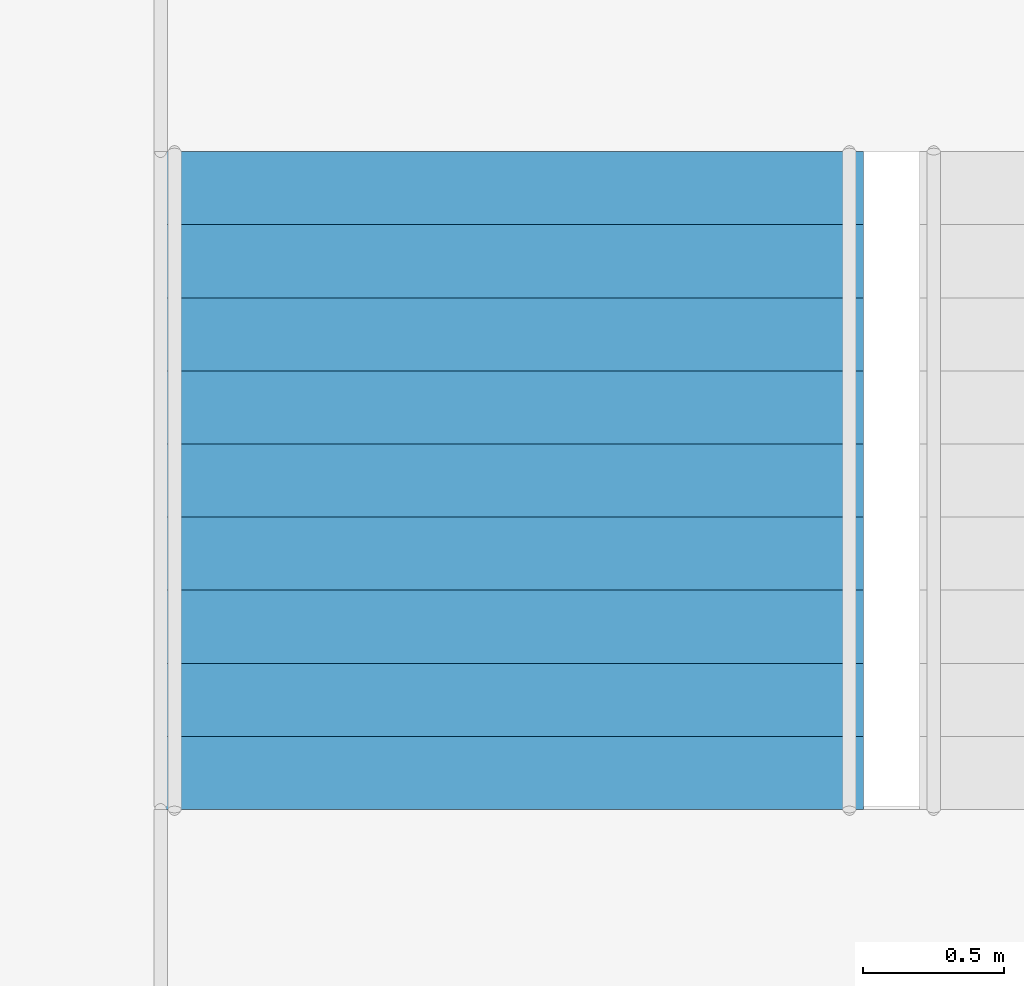
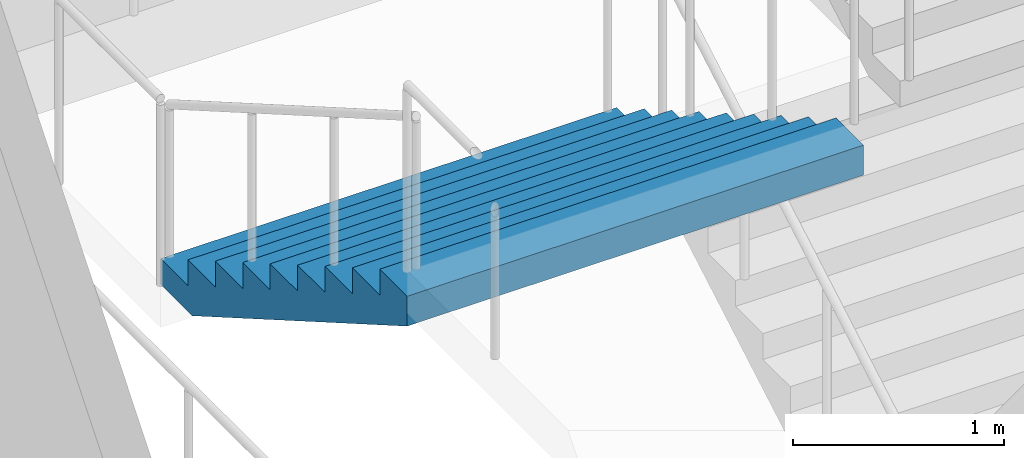
# One storey, part 46 of 100: 1 stair flight, 1 element without a shape of its own.
"""IFC4 building model written with IfcOpenShell, lengths in metres."""

import ifcopenshell
import ifcopenshell.guid

model = None  # the IFC model being written
_history = None  # IfcOwnerHistory: only IFC2X3 demands one
_inside = {}  # id of a spatial element -> (the spatial element, [elements in it])
_under = {}  # id of a project, library or spatial element -> (it, [spatial elements below it])
_declared = {}  # id of a project -> (the project, [libraries it declares])
_typed = {}  # id of a type object -> (the type object, [elements of that type])
_made_of = {}  # id of a material, layer set ... -> (it, [elements and type objects made of it])


def new_model(schema):
    """Start an empty IFC model of exactly this schema.

    Asked for "IFC4X3", IfcOpenShell would pick the latest addendum, in which some entities
    have other attributes; the version numbers below select the first issue.
    IFC2X3 requires an IfcOwnerHistory on every rooted entity: one is made here for all.
    """
    global model, _history
    if schema == "IFC4X3":
        model = ifcopenshell.file(schema_version=(4, 3, 0, 0))
    else:
        model = ifcopenshell.file(schema=schema)
    _inside.clear()
    _under.clear()
    _declared.clear()
    _typed.clear()
    _made_of.clear()
    _history = None
    if model.schema == "IFC2X3":
        org = make("IfcOrganization", Name="unknown")
        user = make(
            "IfcPersonAndOrganization",
            ThePerson=make("IfcPerson", FamilyName="unknown"),
            TheOrganization=org,
        )
        app = make(
            "IfcApplication",
            ApplicationDeveloper=org,
            Version="unknown",
            ApplicationFullName="unknown",
            ApplicationIdentifier="unknown",
        )
        _history = make(
            "IfcOwnerHistory",
            OwningUser=user,
            OwningApplication=app,
            ChangeAction="ADDED",
            CreationDate=0,
        )
    return model


def make(cls, **values):
    """One entity of the class cls with the attributes given. An attribute that is None is left unset."""
    return model.create_entity(
        cls, **{name: value for name, value in values.items() if value is not None}
    )


def rooted(cls, **values):
    """An entity with a GlobalId (a new one), such as an element, a storey or a relation."""
    return make(cls, GlobalId=ifcopenshell.guid.new(), OwnerHistory=_history, **values)


def si_unit(unit_type, name, prefix=None):
    """IfcSIUnit, for example si_unit("LENGTHUNIT", "METRE", prefix="MILLI")."""
    return make("IfcSIUnit", UnitType=unit_type, Prefix=prefix, Name=name)


def assignment(units):
    """IfcUnitAssignment: the units of a project."""
    return None if units is None else make("IfcUnitAssignment", Units=units)


def point(xyz):
    """IfcCartesianPoint."""
    return None if xyz is None else make("IfcCartesianPoint", Coordinates=xyz)


def direction(xyz):
    """IfcDirection."""
    return None if xyz is None else make("IfcDirection", DirectionRatios=xyz)


def frame(location, z_axis=None, x_axis=None):
    """IfcAxis2Placement3D, a coordinate frame: its origin and axes. An axis left out is left unset."""
    return make(
        "IfcAxis2Placement3D",
        Location=point(location),
        Axis=direction(z_axis),
        RefDirection=direction(x_axis),
    )


def origin():
    """The frame at (0, 0, 0) with its axes left unset."""
    return frame((0.0, 0.0, 0.0))


def place(relative_to, where):
    """IfcLocalPlacement: puts the frame where relative to a parent placement (None: the world)."""
    return make(
        "IfcLocalPlacement", PlacementRelTo=relative_to, RelativePlacement=where
    )


def context(
    kind, dimensions, precision=None, world=None, true_north=None, identifier=None
):
    """IfcGeometricRepresentationContext, for example the 3D "Model" context."""
    return make(
        "IfcGeometricRepresentationContext",
        ContextIdentifier=identifier,
        ContextType=kind,
        CoordinateSpaceDimension=dimensions,
        Precision=precision,
        WorldCoordinateSystem=world,
        TrueNorth=true_north,
    )


def subcontext(parent, identifier, kind, view, scale=None):
    """IfcGeometricRepresentationSubContext, for example "Body" below "Model"."""
    return make(
        "IfcGeometricRepresentationSubContext",
        ContextIdentifier=identifier,
        ContextType=kind,
        ParentContext=parent,
        TargetScale=scale,
        TargetView=view,
    )


def project(units=None, contexts=None):
    """IfcProject with its units and contexts."""
    return rooted(
        "IfcProject",
        Name="project",
        RepresentationContexts=contexts,
        UnitsInContext=assignment(units),
    )


def spatial(cls, under=None, at=None, **own):
    """A site, building, storey or space (cls), placed at a placement, below another one or the project."""
    s = rooted(cls, ObjectPlacement=at, **own)
    if under is not None:
        _under.setdefault(under.id(), (under, []))[1].append(s)
    return s


def point_list(points):
    """IfcCartesianPointList2D or 3D."""
    cls = (
        "IfcCartesianPointList2D" if len(points[0]) == 2 else "IfcCartesianPointList3D"
    )
    return make(cls, CoordList=points)


def triangles(points, corners, closed=None, point_numbers=None):
    """IfcTriangulatedFaceSet: each triangle names its three corners, points numbered from 1."""
    return make(
        "IfcTriangulatedFaceSet",
        Coordinates=point_list(points),
        Closed=closed,
        CoordIndex=corners,
        PnIndex=point_numbers,
    )


def shape(context_of_items, identifier, shape_type, items):
    """IfcShapeRepresentation: the items that make up one representation, for example the "Body"."""
    return make(
        "IfcShapeRepresentation",
        ContextOfItems=context_of_items,
        RepresentationIdentifier=identifier,
        RepresentationType=shape_type,
        Items=items,
    )


def material(Name=None, Category=None):
    """IfcMaterial."""
    return make("IfcMaterial", Name=Name, Category=Category)


def made_of(thing, what):
    """Note that an element or type object is made of a material, layer set ...; save() writes the relation."""
    if what is not None:
        _made_of.setdefault(what.id(), (what, []))[1].append(thing)
    return thing


def type_object(cls, material=None, **own):
    """A type object (cls), such as IfcWallType, which elements share."""
    return made_of(rooted(cls, **own), material)


def element(
    cls,
    number,
    at=None,
    inside=None,
    cuts=None,
    type_object=None,
    material=None,
    context=None,
    identifier="Body",
    shape_type=None,
    held_by="IfcProductDefinitionShape",
    body=None,
    shapes=None,
    **own,
):
    """One element of the class cls, such as IfcWall. Its Tag is "e" and its number.

    at: its placement. inside: the storey or other place that contains it. cuts: it is an
    opening in that element (IfcRelVoidsElement). A single representation is given by context,
    identifier, shape_type and body (its items); several are given by shapes. held_by: the class
    of the entity that holds the representations. save() writes the other relations.
    """
    e = rooted(cls, Tag="e%d" % number, ObjectPlacement=at, **own)
    if body is not None:
        shapes = [shape(context, identifier, shape_type, body)]
    if shapes is not None:
        e.Representation = make(held_by, Representations=shapes)
    if inside is not None:
        _inside.setdefault(inside.id(), (inside, []))[1].append(e)
    if cuts is not None:
        rooted(
            "IfcRelVoidsElement", RelatingBuildingElement=cuts, RelatedOpeningElement=e
        )
    if type_object is not None:
        _typed.setdefault(type_object.id(), (type_object, []))[1].append(e)
    return made_of(e, material)


def aggregate(whole, parts):
    """IfcRelAggregates: a whole, such as a stair, and the parts it consists of."""
    return rooted("IfcRelAggregates", RelatingObject=whole, RelatedObjects=parts)


def save(model, path):
    """Write the relations noted so far, then the file.

    IfcRelAggregates (storeys below a building ...), IfcRelContainedInSpatialStructure (elements
    in a storey), IfcRelDefinesByType, IfcRelAssociatesMaterial and IfcRelDeclares: one each for
    every whole, place, type object, material and project.
    """
    for whole, parts in _under.values():
        aggregate(whole, parts)
    for where, things in _inside.values():
        rooted(
            "IfcRelContainedInSpatialStructure",
            RelatedElements=things,
            RelatingStructure=where,
        )
    for kind, things in _typed.values():
        rooted("IfcRelDefinesByType", RelatedObjects=things, RelatingType=kind)
    for what, things in _made_of.values():
        rooted("IfcRelAssociatesMaterial", RelatedObjects=things, RelatingMaterial=what)
    for by, libraries in _declared.values():
        rooted("IfcRelDeclares", RelatingContext=by, RelatedDefinitions=libraries)
    model.write(path)


model = new_model("IFC4")

# Units and contexts
model_context = context("Model", 3, precision=1e-05, world=origin(), true_north=direction((0.0, 1.0)))
body_context = subcontext(model_context, "Body", "Model", "MODEL_VIEW")
ifc_project = project(units=[si_unit("LENGTHUNIT", "METRE"), si_unit("AREAUNIT", "SQUARE_METRE"), si_unit("VOLUMEUNIT", "CUBIC_METRE"), si_unit("PLANEANGLEUNIT", "RADIAN"), si_unit("MASSUNIT", "GRAM", prefix="KILO")], contexts=[model_context])

# Site, building, storey
site_placement = place(None, origin())
site = spatial("IfcSite", under=ifc_project, at=site_placement, CompositionType="ELEMENT")
building_placement = place(site_placement, origin())
building = spatial("IfcBuilding", under=site, at=building_placement, Name="Hakoniwa Tower and Hamabe Station Hall", CompositionType="ELEMENT")
storey_placement = place(building_placement, frame((0.0, 0.0, 9.0)))
storey = spatial("IfcBuildingStorey", under=building, at=storey_placement, Name="L02", CompositionType="ELEMENT", Elevation=9.0)

# Stair, stair flight
ifc_material_1 = material(Name="Concrete C40", Category="concrete")
stair_type = type_object("IfcStairType", Name="STAIR 2500 10X150", PredefinedType="HALF_TURN_STAIR", material=ifc_material_1)
stair_placement = place(storey_placement, origin())
stair = element("IfcStair", 1, at=stair_placement, inside=storey, type_object=stair_type, Name="Escape stair PS3", PredefinedType="HALF_TURN_STAIR")
ifc_material_2 = material(Name="Concrete C40", Category="concrete")
stair_flight_type = type_object("IfcStairFlightType", Name="STAIR FLIGHT 2500", PredefinedType="STRAIGHT", material=ifc_material_2)
stair_flight_placement = place(storey_placement, frame((45.10009765625, -20.010009765625, 1.5), z_axis=(0.0, 0.0, 1.0), x_axis=(0.0, -1.0, 0.0)))
stair_flight = element("IfcStairFlight", 2, at=stair_flight_placement, type_object=stair_flight_type, Name="PS3 flight 2", NumberOfRisers=10, NumberOfTreads=9, PredefinedType="STRAIGHT", RiserHeight=0.15, TreadLength=0.26, context=body_context, shape_type="Tessellation", body=[
    triangles([(0.0, 1.25, 0.0), (0.260009765625, 1.25, 0.0), (0.300048828125, 1.25, 0.0), (0.52001953125, 1.25, 0.126953125), (0.780029296875, 1.25, 0.27685546875), (1.0400390625, 1.25, 0.427001953125), (1.300048828125, 1.25, 0.576904296875), (1.56005859375, 1.25, 0.72705078125), (1.820068359375, 1.25, 0.876953125), (2.080078125, 1.25, 1.02685546875), (2.340087890625, 1.25, 1.177001953125), (2.340087890625, 1.25, 1.35009765625), (2.080078125, 1.25, 1.35009765625), (2.080078125, 1.25, 1.199951171875), (1.820068359375, 1.25, 1.199951171875), (1.820068359375, 1.25, 1.050048828125), (1.56005859375, 1.25, 1.050048828125), (1.56005859375, 1.25, 0.89990234375), (1.300048828125, 1.25, 0.89990234375), (1.300048828125, 1.25, 0.75), (1.0400390625, 1.25, 0.75), (1.0400390625, 1.25, 0.60009765625), (0.780029296875, 1.25, 0.60009765625), (0.780029296875, 1.25, 0.449951171875), (0.52001953125, 1.25, 0.449951171875), (0.52001953125, 1.25, 0.300048828125), (0.300048828125, 1.25, 0.300048828125), (0.260009765625, 1.25, 0.300048828125), (0.260009765625, 1.25, 0.14990234375), (0.0, 1.25, 0.14990234375), (0.0, 0.06005859375, 0.0), (0.260009765625, 0.06005859375, 0.0), (0.300048828125, 0.06005859375, 0.0), (0.52001953125, 0.06005859375, 0.126953125), (0.780029296875, 0.06005859375, 0.27685546875), (1.0400390625, 0.06005859375, 0.427001953125), (1.300048828125, 0.06005859375, 0.576904296875), (1.56005859375, 0.06005859375, 0.72705078125), (1.820068359375, 0.06005859375, 0.876953125), (2.080078125, 0.06005859375, 1.02685546875), (2.340087890625, 0.06005859375, 1.177001953125), (2.340087890625, 0.06005859375, 1.35009765625), (2.080078125, 0.06005859375, 1.35009765625), (2.080078125, 0.06005859375, 1.199951171875), (1.820068359375, 0.06005859375, 1.199951171875), (1.820068359375, 0.06005859375, 1.050048828125), (1.56005859375, 0.06005859375, 1.050048828125), (1.56005859375, 0.06005859375, 0.89990234375), (1.300048828125, 0.06005859375, 0.89990234375), (1.300048828125, 0.06005859375, 0.75), (1.0400390625, 0.06005859375, 0.75), (1.0400390625, 0.06005859375, 0.60009765625), (0.780029296875, 0.06005859375, 0.60009765625), (0.780029296875, 0.06005859375, 0.449951171875), (0.52001953125, 0.06005859375, 0.449951171875), (0.52001953125, 0.06005859375, 0.300048828125), (0.300048828125, 0.06005859375, 0.300048828125), (0.260009765625, 0.06005859375, 0.300048828125), (0.260009765625, 0.06005859375, 0.14990234375), (0.0, 0.06005859375, 0.14990234375), (0.0, 0.049072265625, 0.0), (0.260009765625, 0.049072265625, 0.0), (0.300048828125, 0.049072265625, 0.0), (0.52001953125, 0.049072265625, 0.126953125), (0.780029296875, 0.049072265625, 0.27685546875), (1.0400390625, 0.049072265625, 0.427001953125), (1.300048828125, 0.049072265625, 0.576904296875), (1.56005859375, 0.049072265625, 0.72705078125), (1.820068359375, 0.049072265625, 0.876953125), (2.080078125, 0.049072265625, 1.02685546875), (2.340087890625, 0.049072265625, 1.177001953125), (2.340087890625, 0.049072265625, 1.35009765625), (2.080078125, 0.049072265625, 1.35009765625), (2.080078125, 0.049072265625, 1.199951171875), (1.820068359375, 0.049072265625, 1.199951171875), (1.820068359375, 0.049072265625, 1.050048828125), (1.56005859375, 0.049072265625, 1.050048828125), (1.56005859375, 0.049072265625, 0.89990234375), (1.300048828125, 0.049072265625, 0.89990234375), (1.300048828125, 0.049072265625, 0.75), (1.0400390625, 0.049072265625, 0.75), (1.0400390625, 0.049072265625, 0.60009765625), (0.780029296875, 0.049072265625, 0.60009765625), (0.780029296875, 0.049072265625, 0.449951171875), (0.52001953125, 0.049072265625, 0.449951171875), (0.52001953125, 0.049072265625, 0.300048828125), (0.300048828125, 0.049072265625, 0.300048828125), (0.260009765625, 0.049072265625, 0.300048828125), (0.260009765625, 0.049072265625, 0.14990234375), (0.0, 0.049072265625, 0.14990234375), (0.0, 0.0380859375, 0.0), (0.260009765625, 0.0380859375, 0.0), (0.300048828125, 0.0380859375, 0.0), (0.52001953125, 0.0380859375, 0.126953125), (0.780029296875, 0.0380859375, 0.27685546875), (1.0400390625, 0.0380859375, 0.427001953125), (1.300048828125, 0.0380859375, 0.576904296875), (1.56005859375, 0.0380859375, 0.72705078125), (1.820068359375, 0.0380859375, 0.876953125), (2.080078125, 0.0380859375, 1.02685546875), (2.340087890625, 0.0380859375, 1.177001953125), (2.340087890625, 0.0380859375, 1.35009765625), (2.080078125, 0.0380859375, 1.35009765625), (2.080078125, 0.0380859375, 1.199951171875), (1.820068359375, 0.0380859375, 1.199951171875), (1.820068359375, 0.0380859375, 1.050048828125), (1.56005859375, 0.0380859375, 1.050048828125), (1.56005859375, 0.0380859375, 0.89990234375), (1.300048828125, 0.0380859375, 0.89990234375), (1.300048828125, 0.0380859375, 0.75), (1.0400390625, 0.0380859375, 0.75), (1.0400390625, 0.0380859375, 0.60009765625), (0.780029296875, 0.0380859375, 0.60009765625), (0.780029296875, 0.0380859375, 0.449951171875), (0.52001953125, 0.0380859375, 0.449951171875), (0.52001953125, 0.0380859375, 0.300048828125), (0.300048828125, 0.0380859375, 0.300048828125), (0.260009765625, 0.0380859375, 0.300048828125), (0.260009765625, 0.0380859375, 0.14990234375), (0.0, 0.0380859375, 0.14990234375), (0.0, 0.02734375, 0.0), (0.260009765625, 0.02734375, 0.0), (0.300048828125, 0.02734375, 0.0), (0.52001953125, 0.02734375, 0.126953125), (0.780029296875, 0.02734375, 0.27685546875), (1.0400390625, 0.02734375, 0.427001953125), (1.300048828125, 0.02734375, 0.576904296875), (1.56005859375, 0.02734375, 0.72705078125), (1.820068359375, 0.02734375, 0.876953125), (2.080078125, 0.02734375, 1.02685546875), (2.340087890625, 0.02734375, 1.177001953125), (2.340087890625, 0.02734375, 1.35009765625), (2.080078125, 0.02734375, 1.35009765625), (2.080078125, 0.02734375, 1.199951171875), (1.820068359375, 0.02734375, 1.199951171875), (1.820068359375, 0.02734375, 1.050048828125), (1.56005859375, 0.02734375, 1.050048828125), (1.56005859375, 0.02734375, 0.89990234375), (1.300048828125, 0.02734375, 0.89990234375), (1.300048828125, 0.02734375, 0.75), (1.0400390625, 0.02734375, 0.75), (1.0400390625, 0.02734375, 0.60009765625), (0.780029296875, 0.02734375, 0.60009765625), (0.780029296875, 0.02734375, 0.449951171875), (0.52001953125, 0.02734375, 0.449951171875), (0.52001953125, 0.02734375, 0.300048828125), (0.300048828125, 0.02734375, 0.300048828125), (0.260009765625, 0.02734375, 0.300048828125), (0.260009765625, 0.02734375, 0.14990234375), (0.0, 0.02734375, 0.14990234375), (0.0, 0.016357421875, 0.0), (0.260009765625, 0.016357421875, 0.0), (0.300048828125, 0.016357421875, 0.0), (0.52001953125, 0.016357421875, 0.126953125), (0.780029296875, 0.016357421875, 0.27685546875), (1.0400390625, 0.016357421875, 0.427001953125), (1.300048828125, 0.016357421875, 0.576904296875), (1.56005859375, 0.016357421875, 0.72705078125), (1.820068359375, 0.016357421875, 0.876953125), (2.080078125, 0.016357421875, 1.02685546875), (2.340087890625, 0.016357421875, 1.177001953125), (2.340087890625, 0.016357421875, 1.35009765625), (2.080078125, 0.016357421875, 1.35009765625), (2.080078125, 0.016357421875, 1.199951171875), (1.820068359375, 0.016357421875, 1.199951171875), (1.820068359375, 0.016357421875, 1.050048828125), (1.56005859375, 0.016357421875, 1.050048828125), (1.56005859375, 0.016357421875, 0.89990234375), (1.300048828125, 0.016357421875, 0.89990234375), (1.300048828125, 0.016357421875, 0.75), (1.0400390625, 0.016357421875, 0.75), (1.0400390625, 0.016357421875, 0.60009765625), (0.780029296875, 0.016357421875, 0.60009765625), (0.780029296875, 0.016357421875, 0.449951171875), (0.52001953125, 0.016357421875, 0.449951171875), (0.52001953125, 0.016357421875, 0.300048828125), (0.300048828125, 0.016357421875, 0.300048828125), (0.260009765625, 0.016357421875, 0.300048828125), (0.260009765625, 0.016357421875, 0.14990234375), (0.0, 0.016357421875, 0.14990234375), (0.0, 0.00537109375, 0.0), (0.260009765625, 0.00537109375, 0.0), (0.300048828125, 0.00537109375, 0.0), (0.52001953125, 0.00537109375, 0.126953125), (0.780029296875, 0.00537109375, 0.27685546875), (1.0400390625, 0.00537109375, 0.427001953125), (1.300048828125, 0.00537109375, 0.576904296875), (1.56005859375, 0.00537109375, 0.72705078125), (1.820068359375, 0.00537109375, 0.876953125), (2.080078125, 0.00537109375, 1.02685546875), (2.340087890625, 0.00537109375, 1.177001953125), (2.340087890625, 0.00537109375, 1.35009765625), (2.080078125, 0.00537109375, 1.35009765625), (2.080078125, 0.00537109375, 1.199951171875), (1.820068359375, 0.00537109375, 1.199951171875), (1.820068359375, 0.00537109375, 1.050048828125), (1.56005859375, 0.00537109375, 1.050048828125), (1.56005859375, 0.00537109375, 0.89990234375), (1.300048828125, 0.00537109375, 0.89990234375), (1.300048828125, 0.00537109375, 0.75), (1.0400390625, 0.00537109375, 0.75), (1.0400390625, 0.00537109375, 0.60009765625), (0.780029296875, 0.00537109375, 0.60009765625), (0.780029296875, 0.00537109375, 0.449951171875), (0.52001953125, 0.00537109375, 0.449951171875), (0.52001953125, 0.00537109375, 0.300048828125), (0.300048828125, 0.00537109375, 0.300048828125), (0.260009765625, 0.00537109375, 0.300048828125), (0.260009765625, 0.00537109375, 0.14990234375), (0.0, 0.00537109375, 0.14990234375), (0.0, -0.00537109375, 0.0), (0.260009765625, -0.00537109375, 0.0), (0.300048828125, -0.00537109375, 0.0), (0.52001953125, -0.00537109375, 0.126953125), (0.780029296875, -0.00537109375, 0.27685546875), (1.0400390625, -0.00537109375, 0.427001953125), (1.300048828125, -0.00537109375, 0.576904296875), (1.56005859375, -0.00537109375, 0.72705078125), (1.820068359375, -0.00537109375, 0.876953125), (2.080078125, -0.00537109375, 1.02685546875), (2.340087890625, -0.00537109375, 1.177001953125), (2.340087890625, -0.00537109375, 1.35009765625), (2.080078125, -0.00537109375, 1.35009765625), (2.080078125, -0.00537109375, 1.199951171875), (1.820068359375, -0.00537109375, 1.199951171875), (1.820068359375, -0.00537109375, 1.050048828125), (1.56005859375, -0.00537109375, 1.050048828125), (1.56005859375, -0.00537109375, 0.89990234375), (1.300048828125, -0.00537109375, 0.89990234375), (1.300048828125, -0.00537109375, 0.75), (1.0400390625, -0.00537109375, 0.75), (1.0400390625, -0.00537109375, 0.60009765625), (0.780029296875, -0.00537109375, 0.60009765625), (0.780029296875, -0.00537109375, 0.449951171875), (0.52001953125, -0.00537109375, 0.449951171875), (0.52001953125, -0.00537109375, 0.300048828125), (0.300048828125, -0.00537109375, 0.300048828125), (0.260009765625, -0.00537109375, 0.300048828125), (0.260009765625, -0.00537109375, 0.14990234375), (0.0, -0.00537109375, 0.14990234375), (0.0, -0.016357421875, 0.0), (0.260009765625, -0.016357421875, 0.0), (0.300048828125, -0.016357421875, 0.0), (0.52001953125, -0.016357421875, 0.126953125), (0.780029296875, -0.016357421875, 0.27685546875), (1.0400390625, -0.016357421875, 0.427001953125), (1.300048828125, -0.016357421875, 0.576904296875), (1.56005859375, -0.016357421875, 0.72705078125), (1.820068359375, -0.016357421875, 0.876953125), (2.080078125, -0.016357421875, 1.02685546875), (2.340087890625, -0.016357421875, 1.177001953125), (2.340087890625, -0.016357421875, 1.35009765625), (2.080078125, -0.016357421875, 1.35009765625), (2.080078125, -0.016357421875, 1.199951171875), (1.820068359375, -0.016357421875, 1.199951171875), (1.820068359375, -0.016357421875, 1.050048828125), (1.56005859375, -0.016357421875, 1.050048828125), (1.56005859375, -0.016357421875, 0.89990234375), (1.300048828125, -0.016357421875, 0.89990234375), (1.300048828125, -0.016357421875, 0.75), (1.0400390625, -0.016357421875, 0.75), (1.0400390625, -0.016357421875, 0.60009765625), (0.780029296875, -0.016357421875, 0.60009765625), (0.780029296875, -0.016357421875, 0.449951171875), (0.52001953125, -0.016357421875, 0.449951171875), (0.52001953125, -0.016357421875, 0.300048828125), (0.300048828125, -0.016357421875, 0.300048828125), (0.260009765625, -0.016357421875, 0.300048828125), (0.260009765625, -0.016357421875, 0.14990234375), (0.0, -0.016357421875, 0.14990234375), (0.0, -0.02734375, 0.0), (0.260009765625, -0.02734375, 0.0), (0.300048828125, -0.02734375, 0.0), (0.52001953125, -0.02734375, 0.126953125), (0.780029296875, -0.02734375, 0.27685546875), (1.0400390625, -0.02734375, 0.427001953125), (1.300048828125, -0.02734375, 0.576904296875), (1.56005859375, -0.02734375, 0.72705078125), (1.820068359375, -0.02734375, 0.876953125), (2.080078125, -0.02734375, 1.02685546875), (2.340087890625, -0.02734375, 1.177001953125), (2.340087890625, -0.02734375, 1.35009765625), (2.080078125, -0.02734375, 1.35009765625), (2.080078125, -0.02734375, 1.199951171875), (1.820068359375, -0.02734375, 1.199951171875), (1.820068359375, -0.02734375, 1.050048828125), (1.56005859375, -0.02734375, 1.050048828125), (1.56005859375, -0.02734375, 0.89990234375), (1.300048828125, -0.02734375, 0.89990234375), (1.300048828125, -0.02734375, 0.75), (1.0400390625, -0.02734375, 0.75), (1.0400390625, -0.02734375, 0.60009765625), (0.780029296875, -0.02734375, 0.60009765625), (0.780029296875, -0.02734375, 0.449951171875), (0.52001953125, -0.02734375, 0.449951171875), (0.52001953125, -0.02734375, 0.300048828125), (0.300048828125, -0.02734375, 0.300048828125), (0.260009765625, -0.02734375, 0.300048828125), (0.260009765625, -0.02734375, 0.14990234375), (0.0, -0.02734375, 0.14990234375), (0.0, -0.0380859375, 0.0), (0.260009765625, -0.0380859375, 0.0), (0.300048828125, -0.0380859375, 0.0), (0.52001953125, -0.0380859375, 0.126953125), (0.780029296875, -0.0380859375, 0.27685546875), (1.0400390625, -0.0380859375, 0.427001953125), (1.300048828125, -0.0380859375, 0.576904296875), (1.56005859375, -0.0380859375, 0.72705078125), (1.820068359375, -0.0380859375, 0.876953125), (2.080078125, -0.0380859375, 1.02685546875), (2.340087890625, -0.0380859375, 1.177001953125), (2.340087890625, -0.0380859375, 1.35009765625), (2.080078125, -0.0380859375, 1.35009765625), (2.080078125, -0.0380859375, 1.199951171875), (1.820068359375, -0.0380859375, 1.199951171875), (1.820068359375, -0.0380859375, 1.050048828125), (1.56005859375, -0.0380859375, 1.050048828125), (1.56005859375, -0.0380859375, 0.89990234375), (1.300048828125, -0.0380859375, 0.89990234375), (1.300048828125, -0.0380859375, 0.75), (1.0400390625, -0.0380859375, 0.75), (1.0400390625, -0.0380859375, 0.60009765625), (0.780029296875, -0.0380859375, 0.60009765625), (0.780029296875, -0.0380859375, 0.449951171875), (0.52001953125, -0.0380859375, 0.449951171875), (0.52001953125, -0.0380859375, 0.300048828125), (0.300048828125, -0.0380859375, 0.300048828125), (0.260009765625, -0.0380859375, 0.300048828125), (0.260009765625, -0.0380859375, 0.14990234375), (0.0, -0.0380859375, 0.14990234375), (0.0, -0.049072265625, 0.0), (0.260009765625, -0.049072265625, 0.0), (0.300048828125, -0.049072265625, 0.0), (0.52001953125, -0.049072265625, 0.126953125), (0.780029296875, -0.049072265625, 0.27685546875), (1.0400390625, -0.049072265625, 0.427001953125), (1.300048828125, -0.049072265625, 0.576904296875), (1.56005859375, -0.049072265625, 0.72705078125), (1.820068359375, -0.049072265625, 0.876953125), (2.080078125, -0.049072265625, 1.02685546875), (2.340087890625, -0.049072265625, 1.177001953125), (2.340087890625, -0.049072265625, 1.35009765625), (2.080078125, -0.049072265625, 1.35009765625), (2.080078125, -0.049072265625, 1.199951171875), (1.820068359375, -0.049072265625, 1.199951171875), (1.820068359375, -0.049072265625, 1.050048828125), (1.56005859375, -0.049072265625, 1.050048828125), (1.56005859375, -0.049072265625, 0.89990234375), (1.300048828125, -0.049072265625, 0.89990234375), (1.300048828125, -0.049072265625, 0.75), (1.0400390625, -0.049072265625, 0.75), (1.0400390625, -0.049072265625, 0.60009765625), (0.780029296875, -0.049072265625, 0.60009765625), (0.780029296875, -0.049072265625, 0.449951171875), (0.52001953125, -0.049072265625, 0.449951171875), (0.52001953125, -0.049072265625, 0.300048828125), (0.300048828125, -0.049072265625, 0.300048828125), (0.260009765625, -0.049072265625, 0.300048828125), (0.260009765625, -0.049072265625, 0.14990234375), (0.0, -0.049072265625, 0.14990234375), (0.0, -0.06005859375, 0.0), (0.260009765625, -0.06005859375, 0.0), (0.300048828125, -0.06005859375, 0.0), (0.52001953125, -0.06005859375, 0.126953125), (0.780029296875, -0.06005859375, 0.27685546875), (1.0400390625, -0.06005859375, 0.427001953125), (1.300048828125, -0.06005859375, 0.576904296875), (1.56005859375, -0.06005859375, 0.72705078125), (1.820068359375, -0.06005859375, 0.876953125), (2.080078125, -0.06005859375, 1.02685546875), (2.340087890625, -0.06005859375, 1.177001953125), (2.340087890625, -0.06005859375, 1.35009765625), (2.080078125, -0.06005859375, 1.35009765625), (2.080078125, -0.06005859375, 1.199951171875), (1.820068359375, -0.06005859375, 1.199951171875), (1.820068359375, -0.06005859375, 1.050048828125), (1.56005859375, -0.06005859375, 1.050048828125), (1.56005859375, -0.06005859375, 0.89990234375), (1.300048828125, -0.06005859375, 0.89990234375), (1.300048828125, -0.06005859375, 0.75), (1.0400390625, -0.06005859375, 0.75), (1.0400390625, -0.06005859375, 0.60009765625), (0.780029296875, -0.06005859375, 0.60009765625), (0.780029296875, -0.06005859375, 0.449951171875), (0.52001953125, -0.06005859375, 0.449951171875), (0.52001953125, -0.06005859375, 0.300048828125), (0.300048828125, -0.06005859375, 0.300048828125), (0.260009765625, -0.06005859375, 0.300048828125), (0.260009765625, -0.06005859375, 0.14990234375), (0.0, -0.06005859375, 0.14990234375), (0.0, -1.25, 0.0), (0.260009765625, -1.25, 0.0), (0.300048828125, -1.25, 0.0), (0.52001953125, -1.25, 0.126953125), (0.780029296875, -1.25, 0.27685546875), (1.0400390625, -1.25, 0.427001953125), (1.300048828125, -1.25, 0.576904296875), (1.56005859375, -1.25, 0.72705078125), (1.820068359375, -1.25, 0.876953125), (2.080078125, -1.25, 1.02685546875), (2.340087890625, -1.25, 1.177001953125), (2.340087890625, -1.25, 1.35009765625), (2.080078125, -1.25, 1.35009765625), (2.080078125, -1.25, 1.199951171875), (1.820068359375, -1.25, 1.199951171875), (1.820068359375, -1.25, 1.050048828125), (1.56005859375, -1.25, 1.050048828125), (1.56005859375, -1.25, 0.89990234375), (1.300048828125, -1.25, 0.89990234375), (1.300048828125, -1.25, 0.75), (1.0400390625, -1.25, 0.75), (1.0400390625, -1.25, 0.60009765625), (0.780029296875, -1.25, 0.60009765625), (0.780029296875, -1.25, 0.449951171875), (0.52001953125, -1.25, 0.449951171875), (0.52001953125, -1.25, 0.300048828125), (0.300048828125, -1.25, 0.300048828125), (0.260009765625, -1.25, 0.300048828125), (0.260009765625, -1.25, 0.14990234375), (0.0, -1.25, 0.14990234375)], [[2, 30, 29], [392, 419, 420], [2, 1, 30], [392, 420, 391], [3, 28, 27], [393, 417, 418], [3, 29, 28], [393, 418, 419], [3, 2, 29], [393, 419, 392], [4, 27, 26], [394, 416, 417], [4, 3, 27], [394, 417, 393], [5, 25, 24], [395, 414, 415], [5, 26, 25], [395, 415, 416], [5, 4, 26], [395, 416, 394], [6, 23, 22], [396, 412, 413], [6, 24, 23], [396, 413, 414], [6, 5, 24], [396, 414, 395], [7, 21, 20], [397, 410, 411], [7, 22, 21], [397, 411, 412], [7, 6, 22], [397, 412, 396], [8, 19, 18], [398, 408, 409], [8, 20, 19], [398, 409, 410], [8, 7, 20], [398, 410, 397], [9, 17, 16], [399, 406, 407], [9, 18, 17], [399, 407, 408], [9, 8, 18], [399, 408, 398], [10, 15, 14], [400, 404, 405], [10, 16, 15], [400, 405, 406], [10, 9, 16], [400, 406, 399], [11, 13, 12], [401, 402, 403], [11, 14, 13], [401, 403, 404], [11, 10, 14], [401, 404, 400], [1, 2, 32], [1, 32, 31], [31, 32, 62], [31, 62, 61], [61, 62, 92], [61, 92, 91], [91, 92, 122], [91, 122, 121], [121, 122, 152], [121, 152, 151], [151, 152, 182], [151, 182, 181], [181, 182, 212], [181, 212, 211], [211, 212, 242], [211, 242, 241], [241, 242, 272], [241, 272, 271], [271, 272, 302], [271, 302, 301], [301, 302, 332], [301, 332, 331], [331, 332, 362], [331, 362, 361], [361, 362, 392], [361, 392, 391], [2, 3, 33], [2, 33, 32], [32, 33, 63], [32, 63, 62], [62, 63, 93], [62, 93, 92], [92, 93, 123], [92, 123, 122], [122, 123, 153], [122, 153, 152], [152, 153, 183], [152, 183, 182], [182, 183, 213], [182, 213, 212], [212, 213, 243], [212, 243, 242], [242, 243, 273], [242, 273, 272], [272, 273, 303], [272, 303, 302], [302, 303, 333], [302, 333, 332], [332, 333, 363], [332, 363, 362], [362, 363, 393], [362, 393, 392], [3, 4, 34], [3, 34, 33], [33, 34, 64], [33, 64, 63], [63, 64, 94], [63, 94, 93], [93, 94, 124], [93, 124, 123], [123, 124, 154], [123, 154, 153], [153, 154, 184], [153, 184, 183], [183, 184, 214], [183, 214, 213], [213, 214, 244], [213, 244, 243], [243, 244, 274], [243, 274, 273], [273, 274, 304], [273, 304, 303], [303, 304, 334], [303, 334, 333], [333, 334, 364], [333, 364, 363], [363, 364, 394], [363, 394, 393], [4, 5, 35], [4, 35, 34], [34, 35, 65], [34, 65, 64], [64, 65, 95], [64, 95, 94], [94, 95, 125], [94, 125, 124], [124, 125, 155], [124, 155, 154], [154, 155, 185], [154, 185, 184], [184, 185, 215], [184, 215, 214], [214, 215, 245], [214, 245, 244], [244, 245, 275], [244, 275, 274], [274, 275, 305], [274, 305, 304], [304, 305, 335], [304, 335, 334], [334, 335, 365], [334, 365, 364], [364, 365, 395], [364, 395, 394], [5, 6, 36], [5, 36, 35], [35, 36, 66], [35, 66, 65], [65, 66, 96], [65, 96, 95], [95, 96, 126], [95, 126, 125], [125, 126, 156], [125, 156, 155], [155, 156, 186], [155, 186, 185], [185, 186, 216], [185, 216, 215], [215, 216, 246], [215, 246, 245], [245, 246, 276], [245, 276, 275], [275, 276, 306], [275, 306, 305], [305, 306, 336], [305, 336, 335], [335, 336, 366], [335, 366, 365], [365, 366, 396], [365, 396, 395], [6, 7, 37], [6, 37, 36], [36, 37, 67], [36, 67, 66], [66, 67, 97], [66, 97, 96], [96, 97, 127], [96, 127, 126], [126, 127, 157], [126, 157, 156], [156, 157, 187], [156, 187, 186], [186, 187, 217], [186, 217, 216], [216, 217, 247], [216, 247, 246], [246, 247, 277], [246, 277, 276], [276, 277, 307], [276, 307, 306], [306, 307, 337], [306, 337, 336], [336, 337, 367], [336, 367, 366], [366, 367, 397], [366, 397, 396], [7, 8, 38], [7, 38, 37], [37, 38, 68], [37, 68, 67], [67, 68, 98], [67, 98, 97], [97, 98, 128], [97, 128, 127], [127, 128, 158], [127, 158, 157], [157, 158, 188], [157, 188, 187], [187, 188, 218], [187, 218, 217], [217, 218, 248], [217, 248, 247], [247, 248, 278], [247, 278, 277], [277, 278, 308], [277, 308, 307], [307, 308, 338], [307, 338, 337], [337, 338, 368], [337, 368, 367], [367, 368, 398], [367, 398, 397], [8, 9, 39], [8, 39, 38], [38, 39, 69], [38, 69, 68], [68, 69, 99], [68, 99, 98], [98, 99, 129], [98, 129, 128], [128, 129, 159], [128, 159, 158], [158, 159, 189], [158, 189, 188], [188, 189, 219], [188, 219, 218], [218, 219, 249], [218, 249, 248], [248, 249, 279], [248, 279, 278], [278, 279, 309], [278, 309, 308], [308, 309, 339], [308, 339, 338], [338, 339, 369], [338, 369, 368], [368, 369, 399], [368, 399, 398], [9, 10, 40], [9, 40, 39], [39, 40, 70], [39, 70, 69], [69, 70, 100], [69, 100, 99], [99, 100, 130], [99, 130, 129], [129, 130, 160], [129, 160, 159], [159, 160, 190], [159, 190, 189], [189, 190, 220], [189, 220, 219], [219, 220, 250], [219, 250, 249], [249, 250, 280], [249, 280, 279], [279, 280, 310], [279, 310, 309], [309, 310, 340], [309, 340, 339], [339, 340, 370], [339, 370, 369], [369, 370, 400], [369, 400, 399], [10, 11, 41], [10, 41, 40], [40, 41, 71], [40, 71, 70], [70, 71, 101], [70, 101, 100], [100, 101, 131], [100, 131, 130], [130, 131, 161], [130, 161, 160], [160, 161, 191], [160, 191, 190], [190, 191, 221], [190, 221, 220], [220, 221, 251], [220, 251, 250], [250, 251, 281], [250, 281, 280], [280, 281, 311], [280, 311, 310], [310, 311, 341], [310, 341, 340], [340, 341, 371], [340, 371, 370], [370, 371, 401], [370, 401, 400], [11, 12, 42], [11, 42, 41], [41, 42, 72], [41, 72, 71], [71, 72, 102], [71, 102, 101], [101, 102, 132], [101, 132, 131], [131, 132, 162], [131, 162, 161], [161, 162, 192], [161, 192, 191], [191, 192, 222], [191, 222, 221], [221, 222, 252], [221, 252, 251], [251, 252, 282], [251, 282, 281], [281, 282, 312], [281, 312, 311], [311, 312, 342], [311, 342, 341], [341, 342, 372], [341, 372, 371], [371, 372, 402], [371, 402, 401], [12, 13, 43], [12, 43, 42], [42, 43, 73], [42, 73, 72], [72, 73, 103], [72, 103, 102], [102, 103, 133], [102, 133, 132], [132, 133, 163], [132, 163, 162], [162, 163, 193], [162, 193, 192], [192, 193, 223], [192, 223, 222], [222, 223, 253], [222, 253, 252], [252, 253, 283], [252, 283, 282], [282, 283, 313], [282, 313, 312], [312, 313, 343], [312, 343, 342], [342, 343, 373], [342, 373, 372], [372, 373, 403], [372, 403, 402], [13, 14, 44], [13, 44, 43], [43, 44, 74], [43, 74, 73], [73, 74, 104], [73, 104, 103], [103, 104, 134], [103, 134, 133], [133, 134, 164], [133, 164, 163], [163, 164, 194], [163, 194, 193], [193, 194, 224], [193, 224, 223], [223, 224, 254], [223, 254, 253], [253, 254, 284], [253, 284, 283], [283, 284, 314], [283, 314, 313], [313, 314, 344], [313, 344, 343], [343, 344, 374], [343, 374, 373], [373, 374, 404], [373, 404, 403], [14, 15, 45], [14, 45, 44], [44, 45, 75], [44, 75, 74], [74, 75, 105], [74, 105, 104], [104, 105, 135], [104, 135, 134], [134, 135, 165], [134, 165, 164], [164, 165, 195], [164, 195, 194], [194, 195, 225], [194, 225, 224], [224, 225, 255], [224, 255, 254], [254, 255, 285], [254, 285, 284], [284, 285, 315], [284, 315, 314], [314, 315, 345], [314, 345, 344], [344, 345, 375], [344, 375, 374], [374, 375, 405], [374, 405, 404], [15, 16, 46], [15, 46, 45], [45, 46, 76], [45, 76, 75], [75, 76, 106], [75, 106, 105], [105, 106, 136], [105, 136, 135], [135, 136, 166], [135, 166, 165], [165, 166, 196], [165, 196, 195], [195, 196, 226], [195, 226, 225], [225, 226, 256], [225, 256, 255], [255, 256, 286], [255, 286, 285], [285, 286, 316], [285, 316, 315], [315, 316, 346], [315, 346, 345], [345, 346, 376], [345, 376, 375], [375, 376, 406], [375, 406, 405], [16, 17, 47], [16, 47, 46], [46, 47, 77], [46, 77, 76], [76, 77, 107], [76, 107, 106], [106, 107, 137], [106, 137, 136], [136, 137, 167], [136, 167, 166], [166, 167, 197], [166, 197, 196], [196, 197, 227], [196, 227, 226], [226, 227, 257], [226, 257, 256], [256, 257, 287], [256, 287, 286], [286, 287, 317], [286, 317, 316], [316, 317, 347], [316, 347, 346], [346, 347, 377], [346, 377, 376], [376, 377, 407], [376, 407, 406], [17, 18, 48], [17, 48, 47], [47, 48, 78], [47, 78, 77], [77, 78, 108], [77, 108, 107], [107, 108, 138], [107, 138, 137], [137, 138, 168], [137, 168, 167], [167, 168, 198], [167, 198, 197], [197, 198, 228], [197, 228, 227], [227, 228, 258], [227, 258, 257], [257, 258, 288], [257, 288, 287], [287, 288, 318], [287, 318, 317], [317, 318, 348], [317, 348, 347], [347, 348, 378], [347, 378, 377], [377, 378, 408], [377, 408, 407], [18, 19, 49], [18, 49, 48], [48, 49, 79], [48, 79, 78], [78, 79, 109], [78, 109, 108], [108, 109, 139], [108, 139, 138], [138, 139, 169], [138, 169, 168], [168, 169, 199], [168, 199, 198], [198, 199, 229], [198, 229, 228], [228, 229, 259], [228, 259, 258], [258, 259, 289], [258, 289, 288], [288, 289, 319], [288, 319, 318], [318, 319, 349], [318, 349, 348], [348, 349, 379], [348, 379, 378], [378, 379, 409], [378, 409, 408], [19, 20, 50], [19, 50, 49], [49, 50, 80], [49, 80, 79], [79, 80, 110], [79, 110, 109], [109, 110, 140], [109, 140, 139], [139, 140, 170], [139, 170, 169], [169, 170, 200], [169, 200, 199], [199, 200, 230], [199, 230, 229], [229, 230, 260], [229, 260, 259], [259, 260, 290], [259, 290, 289], [289, 290, 320], [289, 320, 319], [319, 320, 350], [319, 350, 349], [349, 350, 380], [349, 380, 379], [379, 380, 410], [379, 410, 409], [20, 21, 51], [20, 51, 50], [50, 51, 81], [50, 81, 80], [80, 81, 111], [80, 111, 110], [110, 111, 141], [110, 141, 140], [140, 141, 171], [140, 171, 170], [170, 171, 201], [170, 201, 200], [200, 201, 231], [200, 231, 230], [230, 231, 261], [230, 261, 260], [260, 261, 291], [260, 291, 290], [290, 291, 321], [290, 321, 320], [320, 321, 351], [320, 351, 350], [350, 351, 381], [350, 381, 380], [380, 381, 411], [380, 411, 410], [21, 22, 52], [21, 52, 51], [51, 52, 82], [51, 82, 81], [81, 82, 112], [81, 112, 111], [111, 112, 142], [111, 142, 141], [141, 142, 172], [141, 172, 171], [171, 172, 202], [171, 202, 201], [201, 202, 232], [201, 232, 231], [231, 232, 262], [231, 262, 261], [261, 262, 292], [261, 292, 291], [291, 292, 322], [291, 322, 321], [321, 322, 352], [321, 352, 351], [351, 352, 382], [351, 382, 381], [381, 382, 412], [381, 412, 411], [22, 23, 53], [22, 53, 52], [52, 53, 83], [52, 83, 82], [82, 83, 113], [82, 113, 112], [112, 113, 143], [112, 143, 142], [142, 143, 173], [142, 173, 172], [172, 173, 203], [172, 203, 202], [202, 203, 233], [202, 233, 232], [232, 233, 263], [232, 263, 262], [262, 263, 293], [262, 293, 292], [292, 293, 323], [292, 323, 322], [322, 323, 353], [322, 353, 352], [352, 353, 383], [352, 383, 382], [382, 383, 413], [382, 413, 412], [23, 24, 54], [23, 54, 53], [53, 54, 84], [53, 84, 83], [83, 84, 114], [83, 114, 113], [113, 114, 144], [113, 144, 143], [143, 144, 174], [143, 174, 173], [173, 174, 204], [173, 204, 203], [203, 204, 234], [203, 234, 233], [233, 234, 264], [233, 264, 263], [263, 264, 294], [263, 294, 293], [293, 294, 324], [293, 324, 323], [323, 324, 354], [323, 354, 353], [353, 354, 384], [353, 384, 383], [383, 384, 414], [383, 414, 413], [24, 25, 55], [24, 55, 54], [54, 55, 85], [54, 85, 84], [84, 85, 115], [84, 115, 114], [114, 115, 145], [114, 145, 144], [144, 145, 175], [144, 175, 174], [174, 175, 205], [174, 205, 204], [204, 205, 235], [204, 235, 234], [234, 235, 265], [234, 265, 264], [264, 265, 295], [264, 295, 294], [294, 295, 325], [294, 325, 324], [324, 325, 355], [324, 355, 354], [354, 355, 385], [354, 385, 384], [384, 385, 415], [384, 415, 414], [25, 26, 56], [25, 56, 55], [55, 56, 86], [55, 86, 85], [85, 86, 116], [85, 116, 115], [115, 116, 146], [115, 146, 145], [145, 146, 176], [145, 176, 175], [175, 176, 206], [175, 206, 205], [205, 206, 236], [205, 236, 235], [235, 236, 266], [235, 266, 265], [265, 266, 296], [265, 296, 295], [295, 296, 326], [295, 326, 325], [325, 326, 356], [325, 356, 355], [355, 356, 386], [355, 386, 385], [385, 386, 416], [385, 416, 415], [26, 27, 57], [26, 57, 56], [56, 57, 87], [56, 87, 86], [86, 87, 117], [86, 117, 116], [116, 117, 147], [116, 147, 146], [146, 147, 177], [146, 177, 176], [176, 177, 207], [176, 207, 206], [206, 207, 237], [206, 237, 236], [236, 237, 267], [236, 267, 266], [266, 267, 297], [266, 297, 296], [296, 297, 327], [296, 327, 326], [326, 327, 357], [326, 357, 356], [356, 357, 387], [356, 387, 386], [386, 387, 417], [386, 417, 416], [27, 28, 58], [27, 58, 57], [57, 58, 88], [57, 88, 87], [87, 88, 118], [87, 118, 117], [117, 118, 148], [117, 148, 147], [147, 148, 178], [147, 178, 177], [177, 178, 208], [177, 208, 207], [207, 208, 238], [207, 238, 237], [237, 238, 268], [237, 268, 267], [267, 268, 298], [267, 298, 297], [297, 298, 328], [297, 328, 327], [327, 328, 358], [327, 358, 357], [357, 358, 388], [357, 388, 387], [387, 388, 418], [387, 418, 417], [28, 29, 59], [28, 59, 58], [58, 59, 89], [58, 89, 88], [88, 89, 119], [88, 119, 118], [118, 119, 149], [118, 149, 148], [148, 149, 179], [148, 179, 178], [178, 179, 209], [178, 209, 208], [208, 209, 239], [208, 239, 238], [238, 239, 269], [238, 269, 268], [268, 269, 299], [268, 299, 298], [298, 299, 329], [298, 329, 328], [328, 329, 359], [328, 359, 358], [358, 359, 389], [358, 389, 388], [388, 389, 419], [388, 419, 418], [29, 30, 60], [29, 60, 59], [59, 60, 90], [59, 90, 89], [89, 90, 120], [89, 120, 119], [119, 120, 150], [119, 150, 149], [149, 150, 180], [149, 180, 179], [179, 180, 210], [179, 210, 209], [209, 210, 240], [209, 240, 239], [239, 240, 270], [239, 270, 269], [269, 270, 300], [269, 300, 299], [299, 300, 330], [299, 330, 329], [329, 330, 360], [329, 360, 359], [359, 360, 390], [359, 390, 389], [389, 390, 420], [389, 420, 419], [30, 1, 31], [30, 31, 60], [60, 31, 61], [60, 61, 90], [90, 61, 91], [90, 91, 120], [120, 91, 121], [120, 121, 150], [150, 121, 151], [150, 151, 180], [180, 151, 181], [180, 181, 210], [210, 181, 211], [210, 211, 240], [240, 211, 241], [240, 241, 270], [270, 241, 271], [270, 271, 300], [300, 271, 301], [300, 301, 330], [330, 301, 331], [330, 331, 360], [360, 331, 361], [360, 361, 390], [390, 361, 391], [390, 391, 420]], closed=True),
])
aggregate(stair, [stair_flight])

save(model, "model.ifc")
